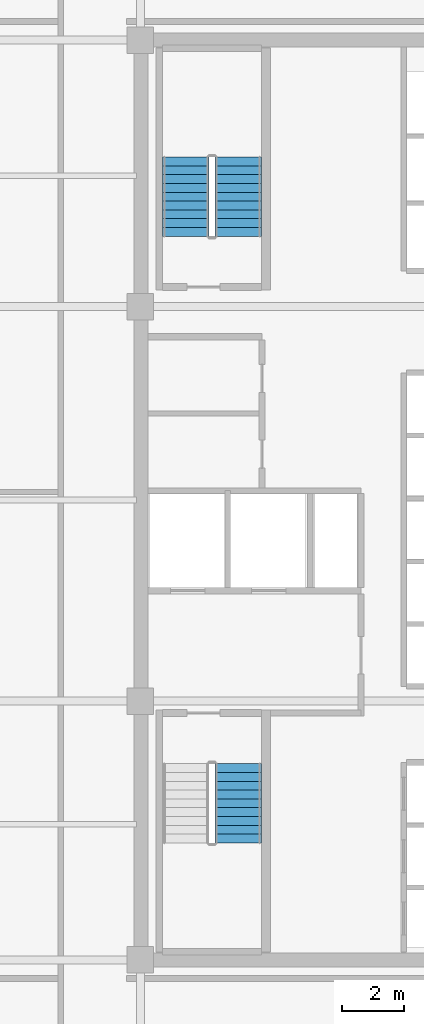
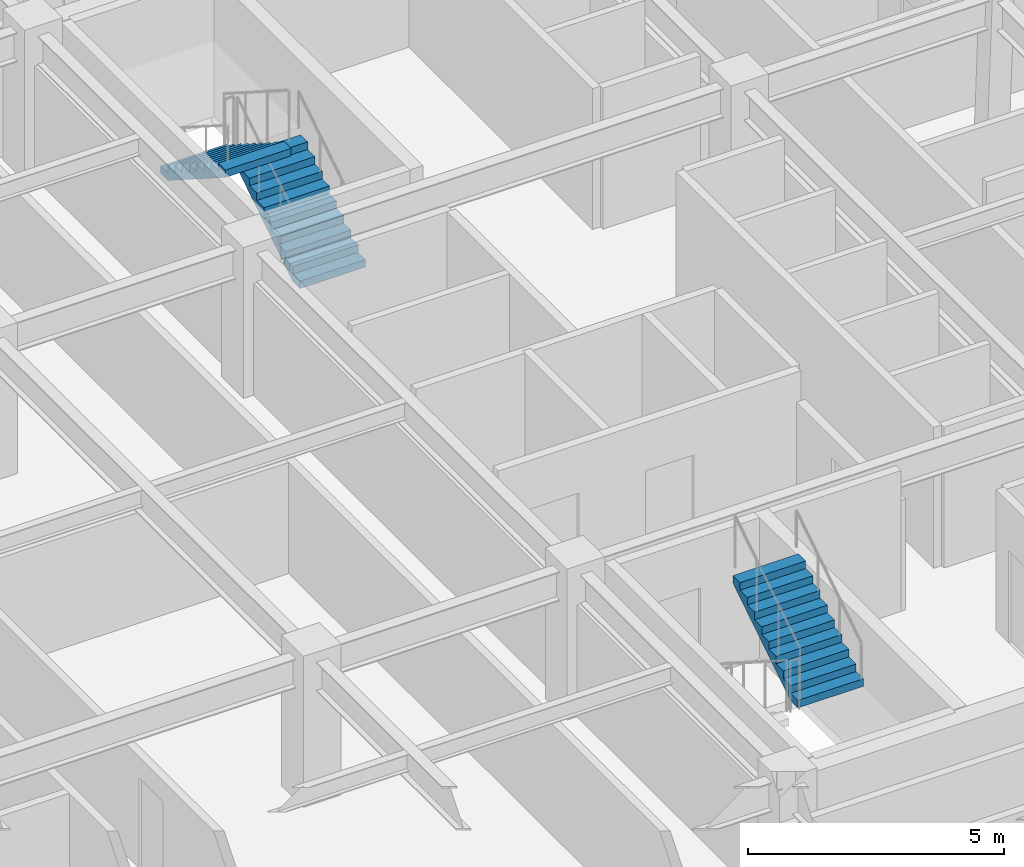
# One storey, part 11 of 12: 3 stair flights, 2 elements without a shape of their own.
"""IFC4 building model written with IfcOpenShell, lengths in metres."""

import ifcopenshell
import ifcopenshell.guid

model = None  # the IFC model being written
_history = None  # IfcOwnerHistory: only IFC2X3 demands one
_inside = {}  # id of a spatial element -> (the spatial element, [elements in it])
_under = {}  # id of a project, library or spatial element -> (it, [spatial elements below it])
_declared = {}  # id of a project -> (the project, [libraries it declares])
_typed = {}  # id of a type object -> (the type object, [elements of that type])
_made_of = {}  # id of a material, layer set ... -> (it, [elements and type objects made of it])


def new_model(schema):
    """Start an empty IFC model of exactly this schema.

    Asked for "IFC4X3", IfcOpenShell would pick the latest addendum, in which some entities
    have other attributes; the version numbers below select the first issue.
    IFC2X3 requires an IfcOwnerHistory on every rooted entity: one is made here for all.
    """
    global model, _history
    if schema == "IFC4X3":
        model = ifcopenshell.file(schema_version=(4, 3, 0, 0))
    else:
        model = ifcopenshell.file(schema=schema)
    _inside.clear()
    _under.clear()
    _declared.clear()
    _typed.clear()
    _made_of.clear()
    _history = None
    if model.schema == "IFC2X3":
        org = make("IfcOrganization", Name="unknown")
        user = make(
            "IfcPersonAndOrganization",
            ThePerson=make("IfcPerson", FamilyName="unknown"),
            TheOrganization=org,
        )
        app = make(
            "IfcApplication",
            ApplicationDeveloper=org,
            Version="unknown",
            ApplicationFullName="unknown",
            ApplicationIdentifier="unknown",
        )
        _history = make(
            "IfcOwnerHistory",
            OwningUser=user,
            OwningApplication=app,
            ChangeAction="ADDED",
            CreationDate=0,
        )
    return model


def make(cls, **values):
    """One entity of the class cls with the attributes given. An attribute that is None is left unset."""
    return model.create_entity(
        cls, **{name: value for name, value in values.items() if value is not None}
    )


def rooted(cls, **values):
    """An entity with a GlobalId (a new one), such as an element, a storey or a relation."""
    return make(cls, GlobalId=ifcopenshell.guid.new(), OwnerHistory=_history, **values)


def si_unit(unit_type, name, prefix=None):
    """IfcSIUnit, for example si_unit("LENGTHUNIT", "METRE", prefix="MILLI")."""
    return make("IfcSIUnit", UnitType=unit_type, Prefix=prefix, Name=name)


def assignment(units):
    """IfcUnitAssignment: the units of a project."""
    return None if units is None else make("IfcUnitAssignment", Units=units)


def point(xyz):
    """IfcCartesianPoint."""
    return None if xyz is None else make("IfcCartesianPoint", Coordinates=xyz)


def direction(xyz):
    """IfcDirection."""
    return None if xyz is None else make("IfcDirection", DirectionRatios=xyz)


def frame(location, z_axis=None, x_axis=None):
    """IfcAxis2Placement3D, a coordinate frame: its origin and axes. An axis left out is left unset."""
    return make(
        "IfcAxis2Placement3D",
        Location=point(location),
        Axis=direction(z_axis),
        RefDirection=direction(x_axis),
    )


def origin():
    """The frame at (0, 0, 0) with its axes left unset."""
    return frame((0.0, 0.0, 0.0))


def place(relative_to, where):
    """IfcLocalPlacement: puts the frame where relative to a parent placement (None: the world)."""
    return make(
        "IfcLocalPlacement", PlacementRelTo=relative_to, RelativePlacement=where
    )


def context(
    kind, dimensions, precision=None, world=None, true_north=None, identifier=None
):
    """IfcGeometricRepresentationContext, for example the 3D "Model" context."""
    return make(
        "IfcGeometricRepresentationContext",
        ContextIdentifier=identifier,
        ContextType=kind,
        CoordinateSpaceDimension=dimensions,
        Precision=precision,
        WorldCoordinateSystem=world,
        TrueNorth=true_north,
    )


def subcontext(parent, identifier, kind, view, scale=None):
    """IfcGeometricRepresentationSubContext, for example "Body" below "Model"."""
    return make(
        "IfcGeometricRepresentationSubContext",
        ContextIdentifier=identifier,
        ContextType=kind,
        ParentContext=parent,
        TargetScale=scale,
        TargetView=view,
    )


def project(units=None, contexts=None):
    """IfcProject with its units and contexts."""
    return rooted(
        "IfcProject",
        Name="project",
        RepresentationContexts=contexts,
        UnitsInContext=assignment(units),
    )


def spatial(cls, under=None, at=None, **own):
    """A site, building, storey or space (cls), placed at a placement, below another one or the project."""
    s = rooted(cls, ObjectPlacement=at, **own)
    if under is not None:
        _under.setdefault(under.id(), (under, []))[1].append(s)
    return s


def polyline(points):
    """IfcPolyline through the points."""
    return make("IfcPolyline", Points=[point(p) for p in points])


def outline(outer, holes=None, kind="AREA"):
    """IfcArbitraryClosedProfileDef: a profile drawn as a closed curve; with holes, ...WithVoids."""
    if holes is None:
        return make("IfcArbitraryClosedProfileDef", ProfileType=kind, OuterCurve=outer)
    return make(
        "IfcArbitraryProfileDefWithVoids",
        ProfileType=kind,
        OuterCurve=outer,
        InnerCurves=holes,
    )


def extrude(swept, where, along, depth):
    """IfcExtrudedAreaSolid: the profile swept, set in the frame where, extruded along a direction by depth."""
    return make(
        "IfcExtrudedAreaSolid",
        SweptArea=swept,
        Position=where,
        ExtrudedDirection=direction(along),
        Depth=depth,
    )


def shape(context_of_items, identifier, shape_type, items):
    """IfcShapeRepresentation: the items that make up one representation, for example the "Body"."""
    return make(
        "IfcShapeRepresentation",
        ContextOfItems=context_of_items,
        RepresentationIdentifier=identifier,
        RepresentationType=shape_type,
        Items=items,
    )


def material(Name=None, Category=None):
    """IfcMaterial."""
    return make("IfcMaterial", Name=Name, Category=Category)


def made_of(thing, what):
    """Note that an element or type object is made of a material, layer set ...; save() writes the relation."""
    if what is not None:
        _made_of.setdefault(what.id(), (what, []))[1].append(thing)
    return thing


def type_object(cls, material=None, **own):
    """A type object (cls), such as IfcWallType, which elements share."""
    return made_of(rooted(cls, **own), material)


def element(
    cls,
    number,
    at=None,
    inside=None,
    cuts=None,
    type_object=None,
    material=None,
    context=None,
    identifier="Body",
    shape_type=None,
    held_by="IfcProductDefinitionShape",
    body=None,
    shapes=None,
    **own,
):
    """One element of the class cls, such as IfcWall. Its Tag is "e" and its number.

    at: its placement. inside: the storey or other place that contains it. cuts: it is an
    opening in that element (IfcRelVoidsElement). A single representation is given by context,
    identifier, shape_type and body (its items); several are given by shapes. held_by: the class
    of the entity that holds the representations. save() writes the other relations.
    """
    e = rooted(cls, Tag="e%d" % number, ObjectPlacement=at, **own)
    if body is not None:
        shapes = [shape(context, identifier, shape_type, body)]
    if shapes is not None:
        e.Representation = make(held_by, Representations=shapes)
    if inside is not None:
        _inside.setdefault(inside.id(), (inside, []))[1].append(e)
    if cuts is not None:
        rooted(
            "IfcRelVoidsElement", RelatingBuildingElement=cuts, RelatedOpeningElement=e
        )
    if type_object is not None:
        _typed.setdefault(type_object.id(), (type_object, []))[1].append(e)
    return made_of(e, material)


def aggregate(whole, parts):
    """IfcRelAggregates: a whole, such as a stair, and the parts it consists of."""
    return rooted("IfcRelAggregates", RelatingObject=whole, RelatedObjects=parts)


def save(model, path):
    """Write the relations noted so far, then the file.

    IfcRelAggregates (storeys below a building ...), IfcRelContainedInSpatialStructure (elements
    in a storey), IfcRelDefinesByType, IfcRelAssociatesMaterial and IfcRelDeclares: one each for
    every whole, place, type object, material and project.
    """
    for whole, parts in _under.values():
        aggregate(whole, parts)
    for where, things in _inside.values():
        rooted(
            "IfcRelContainedInSpatialStructure",
            RelatedElements=things,
            RelatingStructure=where,
        )
    for kind, things in _typed.values():
        rooted("IfcRelDefinesByType", RelatedObjects=things, RelatingType=kind)
    for what, things in _made_of.values():
        rooted("IfcRelAssociatesMaterial", RelatedObjects=things, RelatingMaterial=what)
    for by, libraries in _declared.values():
        rooted("IfcRelDeclares", RelatingContext=by, RelatedDefinitions=libraries)
    model.write(path)


model = new_model("IFC4")

# Units and contexts
model_context = context("Model", 3, precision=1e-05, world=origin(), true_north=direction((0.0, 1.0)))
body_context = subcontext(model_context, "Body", "Model", "MODEL_VIEW")
ifc_project = project(units=[si_unit("LENGTHUNIT", "METRE"), si_unit("AREAUNIT", "SQUARE_METRE"), si_unit("VOLUMEUNIT", "CUBIC_METRE"), si_unit("PLANEANGLEUNIT", "RADIAN"), si_unit("MASSUNIT", "GRAM", prefix="KILO")], contexts=[model_context])

# Site, building, storey
site_placement = place(None, origin())
site = spatial("IfcSite", under=ifc_project, at=site_placement, CompositionType="ELEMENT")
building_placement = place(site_placement, origin())
building = spatial("IfcBuilding", under=site, at=building_placement, Name="Ochreholt Gables", CompositionType="ELEMENT")
storey_placement = place(building_placement, frame((0.0, 0.0, 27.60009765625)))
storey = spatial("IfcBuildingStorey", under=building, at=storey_placement, Name="L06", CompositionType="ELEMENT", Elevation=27.60009765625)

# Stair, stair flight
ifc_material = material(Name="Concrete 40 MPa", Category="concrete")
stair_type_1 = type_object("IfcStairType", Name="STAIR-CORE-ST-1", PredefinedType="HALF_TURN_STAIR", material=ifc_material)
stair_1_placement = place(storey_placement, origin())
stair_1 = element("IfcStair", 1, at=stair_1_placement, inside=storey, type_object=stair_type_1, Name="L06 Core Exit Stair 1", PredefinedType="HALF_TURN_STAIR")
stair_flight_type = type_object("IfcStairFlightType", Name="FLIGHT-ST-1480-1800", PredefinedType="STRAIGHT", material=ifc_material)
stair_flight_1_placement = place(storey_placement, frame((27.340087890625, 13.001953125, 1.7998046875), z_axis=(0.0, 0.0, 1.0), x_axis=(0.0, 1.0, 0.0)))
stair_flight_1 = element("IfcStairFlight", 2, at=stair_flight_1_placement, type_object=stair_flight_type, Name="ST-1 flight 2", NumberOfRisers=10, NumberOfTreads=9, PredefinedType="STRAIGHT", RiserHeight=0.18, TreadLength=0.282, context=body_context, shape_type="SweptSolid", body=[
    extrude(outline(polyline([(0.0, 0.0), (0.0, 0.179931640625), (0.281982421875, 0.179931640625), (0.281982421875, 0.360107421875), (0.56396484375, 0.360107421875), (0.56396484375, 0.5400390625), (0.845947265625, 0.5400390625), (0.845947265625, 0.719970703125), (1.1279296875, 0.719970703125), (1.1279296875, 0.89990234375), (1.409912109375, 0.89990234375), (1.409912109375, 1.080078125), (1.69189453125, 1.080078125), (1.69189453125, 1.260009765625), (1.97412109375, 1.260009765625), (1.97412109375, 1.43994140625), (2.256103515625, 1.43994140625), (2.256103515625, 1.6201171875), (2.5380859375, 1.6201171875), (2.5380859375, 1.800048828125), (2.5380859375, 1.442138671875), (0.278564453125, 0.0), (0.0, 0.0)])), frame((0.0, 0.739990234375, 0.0), z_axis=(0.0, -1.0, 0.0), x_axis=(1.0, 0.0, 0.0)), (0.0, 0.0, 1.0), 1.47998046875),
])
aggregate(stair_1, [stair_flight_1])

# Stair, stair flights
stair_type_2 = type_object("IfcStairType", Name="STAIR-CORE-ST-2", PredefinedType="HALF_TURN_STAIR", material=ifc_material)
stair_2_placement = place(storey_placement, origin())
stair_2 = element("IfcStair", 3, at=stair_2_placement, inside=storey, type_object=stair_type_2, Name="L06 Core Exit Stair 2", PredefinedType="HALF_TURN_STAIR")
stair_flight_2_placement = place(storey_placement, frame((27.340087890625, 32.4599609375, 0.0), z_axis=(0.0, 0.0, 1.0), x_axis=(0.0, 1.0, 0.0)))
stair_flight_2 = element("IfcStairFlight", 4, at=stair_flight_2_placement, type_object=stair_flight_type, Name="ST-2 flight 1", NumberOfRisers=10, NumberOfTreads=9, PredefinedType="STRAIGHT", RiserHeight=0.18, TreadLength=0.282, context=body_context, shape_type="SweptSolid", body=[
    extrude(outline(polyline([(0.0, 0.0), (0.0, 0.179931640625), (0.281982421875, 0.179931640625), (0.281982421875, 0.360107421875), (0.56396484375, 0.360107421875), (0.56396484375, 0.5400390625), (0.845947265625, 0.5400390625), (0.845947265625, 0.719970703125), (1.1279296875, 0.719970703125), (1.1279296875, 0.89990234375), (1.409912109375, 0.89990234375), (1.409912109375, 1.080078125), (1.69189453125, 1.080078125), (1.69189453125, 1.260009765625), (1.97412109375, 1.260009765625), (1.97412109375, 1.43994140625), (2.256103515625, 1.43994140625), (2.256103515625, 1.6201171875), (2.5380859375, 1.6201171875), (2.5380859375, 1.800048828125), (2.5380859375, 1.442138671875), (0.278564453125, 0.0), (0.0, 0.0)])), frame((0.0, 0.739990234375, 0.0), z_axis=(0.0, -1.0, 0.0), x_axis=(1.0, 0.0, 0.0)), (0.0, 0.0, 1.0), 1.47998046875),
])
stair_flight_3_placement = place(storey_placement, frame((25.659912109375, 34.998046875, 1.7998046875), z_axis=(0.0, 0.0, 1.0), x_axis=(0.0, -1.0, 0.0)))
stair_flight_3 = element("IfcStairFlight", 5, at=stair_flight_3_placement, type_object=stair_flight_type, Name="ST-2 flight 2", NumberOfRisers=10, NumberOfTreads=9, PredefinedType="STRAIGHT", RiserHeight=0.18, TreadLength=0.282, context=body_context, shape_type="SweptSolid", body=[
    extrude(outline(polyline([(0.0, 0.0), (0.0, 0.179931640625), (0.281982421875, 0.179931640625), (0.281982421875, 0.360107421875), (0.56396484375, 0.360107421875), (0.56396484375, 0.5400390625), (0.845947265625, 0.5400390625), (0.845947265625, 0.719970703125), (1.1279296875, 0.719970703125), (1.1279296875, 0.89990234375), (1.409912109375, 0.89990234375), (1.409912109375, 1.080078125), (1.69189453125, 1.080078125), (1.69189453125, 1.260009765625), (1.97412109375, 1.260009765625), (1.97412109375, 1.43994140625), (2.256103515625, 1.43994140625), (2.256103515625, 1.6201171875), (2.5380859375, 1.6201171875), (2.5380859375, 1.800048828125), (2.5380859375, 1.442138671875), (0.278564453125, 0.0), (0.0, 0.0)])), frame((0.0, 0.739990234375, 0.0), z_axis=(0.0, -1.0, 0.0), x_axis=(1.0, 0.0, 0.0)), (0.0, 0.0, 1.0), 1.47998046875),
])
aggregate(stair_2, [stair_flight_2, stair_flight_3])

save(model, "model.ifc")
